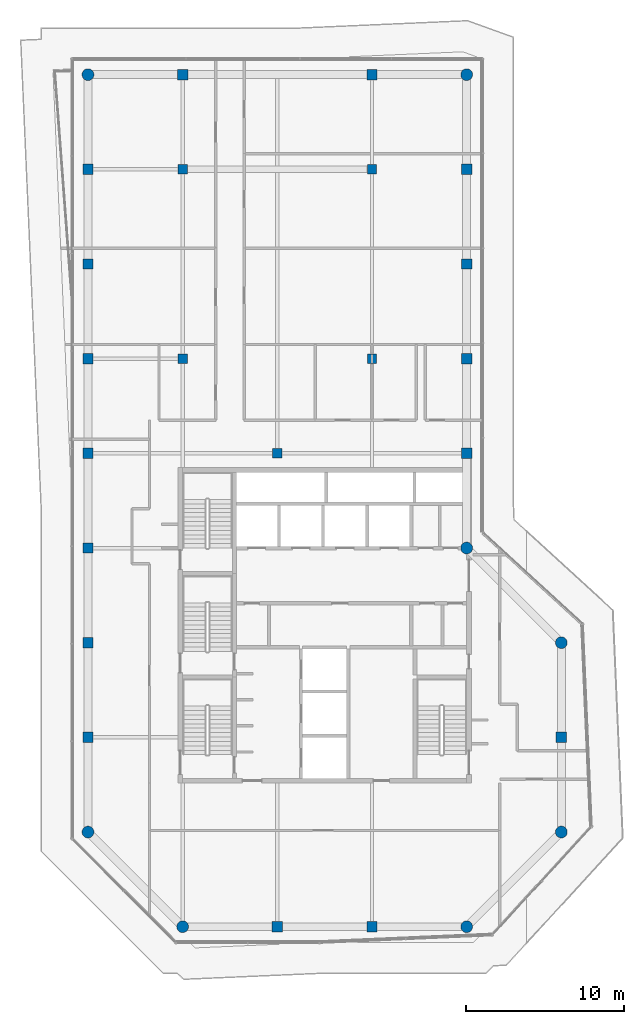
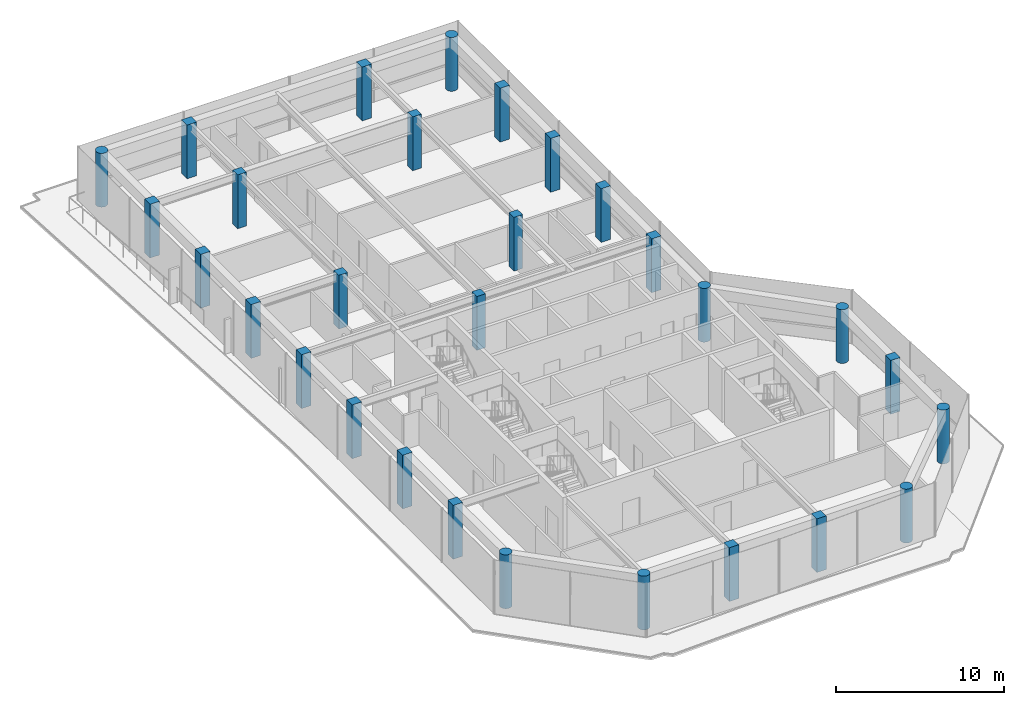
# One storey, part 1 of 19: 29 columns.
"""IFC4 building model written with IfcOpenShell, lengths in metres."""

from ifc_helpers import new_model, si_unit, direction, frame, origin, origin_2d, place, context, subcontext, project, spatial, rectangle, circle, extrude, material, material_profile, profile_set, type_object, element, save


model = new_model("IFC4")

# Units and contexts
model_context = context("Model", 3, precision=1e-05, world=origin(), true_north=direction((0.0, 1.0)))
body_context = subcontext(model_context, "Body", "Model", "MODEL_VIEW")
ifc_project = project(units=[si_unit("LENGTHUNIT", "METRE"), si_unit("AREAUNIT", "SQUARE_METRE"), si_unit("VOLUMEUNIT", "CUBIC_METRE"), si_unit("PLANEANGLEUNIT", "RADIAN"), si_unit("MASSUNIT", "GRAM", prefix="KILO")], contexts=[model_context])

# Site, building, storey
site_placement = place(None, origin())
site = spatial("IfcSite", under=ifc_project, at=site_placement, CompositionType="ELEMENT")
building_placement = place(site_placement, origin())
building = spatial("IfcBuilding", under=site, at=building_placement, Name="Welwitschia Terrace Campus", CompositionType="ELEMENT")
storey_placement = place(building_placement, frame((0.0, 0.0, 323.0)))
storey = spatial("IfcBuildingStorey", under=building, at=storey_placement, Name="L72", CompositionType="ELEMENT", Elevation=323.0)

# Columns
ifc_material_1 = material(Name="Concrete C40/50", Category="concrete")
ifc_material_profile_1 = material_profile(ifc_material_1, circle(Radius=0.375, at=origin_2d()))
ifc_profile_set_1 = profile_set([ifc_material_profile_1], Name="Concrete C40/50")
column_type_1 = type_object("IfcColumnType", Name="Corner column 750 dia", PredefinedType="COLUMN", material=ifc_profile_set_1)
for number, where, z_axis, x_axis, name in (
    (1, (0.0, 2.0, 0.0), (0.0, 0.0, 1.0), (1.0, 0.0, 0.0), "Column C44"),
    (2, (0.0, 50.0, 0.0), (0.0, 0.0, 1.0), (1.0, 0.0, 0.0), "Column C44"),
    (3, (6.0, -4.0, 0.0), (0.0, 0.0, 1.0), (1.0, 0.0, 0.0), "Column C44"),
    (4, (24.0, -4.0, 0.0), (0.0, 0.0, 1.0), (1.0, 0.0, 0.0), "Column C44"),
    (5, (24.0, 20.0, 0.0), (0.0, 0.0, 1.0), (1.0, 0.0, 0.0), "Column C44"),
    (6, (24.0, 50.0, 0.0), (0.0, 0.0, 1.0), (1.0, 0.0, 0.0), "Column C44"),
    (7, (30.0, 2.0, 0.0), (0.0, 0.0, 1.0), (1.0, 0.0, 0.0), "Column C44"),
    (8, (30.0, 14.0, 0.0), (0.0, 0.0, 1.0), (1.0, 0.0, 0.0), "Column C44"),
):
    element("IfcColumn", number, at=place(storey_placement, frame(where, z_axis=z_axis, x_axis=x_axis)), inside=storey, type_object=column_type_1, Name=name, PredefinedType="COLUMN", context=body_context, shape_type="SweptSolid", body=[
        extrude(circle(Radius=0.375, at=origin_2d()), origin(), (0.0, 0.0, 1.0), 3.89990234375),
    ])
ifc_material_2 = material(Name="Concrete C40/50", Category="concrete")
ifc_material_profile_2 = material_profile(ifc_material_2, rectangle(XDim=0.60009765625, YDim=0.60009765625, at=origin_2d()))
ifc_profile_set_2 = profile_set([ifc_material_profile_2], Name="Concrete C40/50")
column_type_2 = type_object("IfcColumnType", Name="Interior column 600x600", PredefinedType="COLUMN", material=ifc_profile_set_2)
for number, where, z_axis, x_axis, name in (
    (9, (6.0, 32.0, 0.0), (0.0, 0.0, 1.0), (1.0, 0.0, 0.0), "Column C46"),
    (10, (6.0, 44.0, 0.0), (0.0, 0.0, 1.0), (1.0, 0.0, 0.0), "Column C46"),
    (11, (12.0, 26.0, 0.0), (0.0, 0.0, 1.0), (1.0, 0.0, 0.0), "Column C46"),
    (12, (18.0, 32.0, 0.0), (0.0, 0.0, 1.0), (1.0, 0.0, 0.0), "Column C46"),
    (13, (18.0, 44.0, 0.0), (0.0, 0.0, 1.0), (1.0, 0.0, 0.0), "Column C46"),
):
    element("IfcColumn", number, at=place(storey_placement, frame(where, z_axis=z_axis, x_axis=x_axis)), inside=storey, type_object=column_type_2, Name=name, PredefinedType="COLUMN", context=body_context, shape_type="SweptSolid", body=[
        extrude(rectangle(XDim=0.60009765625, YDim=0.60009765625, at=origin_2d()), origin(), (0.0, 0.0, 1.0), 3.89990234375),
    ])
ifc_material_3 = material(Name="Concrete C40/50", Category="concrete")
ifc_material_profile_3 = material_profile(ifc_material_3, rectangle(XDim=0.64990234375, YDim=0.64990234375, at=origin_2d()))
ifc_profile_set_3 = profile_set([ifc_material_profile_3], Name="Concrete C40/50")
column_type_3 = type_object("IfcColumnType", Name="Ring column 650x650", PredefinedType="COLUMN", material=ifc_profile_set_3)
for number, where, z_axis, x_axis, name in (
    (14, (0.0, 8.0, 0.0), (0.0, 0.0, 1.0), (1.0, 0.0, 0.0), "Column C45"),
    (15, (0.0, 14.0, 0.0), (0.0, 0.0, 1.0), (1.0, 0.0, 0.0), "Column C45"),
    (16, (0.0, 20.0, 0.0), (0.0, 0.0, 1.0), (1.0, 0.0, 0.0), "Column C45"),
    (17, (0.0, 26.0, 0.0), (0.0, 0.0, 1.0), (1.0, 0.0, 0.0), "Column C45"),
    (18, (0.0, 32.0, 0.0), (0.0, 0.0, 1.0), (1.0, 0.0, 0.0), "Column C45"),
    (19, (0.0, 38.0, 0.0), (0.0, 0.0, 1.0), (1.0, 0.0, 0.0), "Column C45"),
    (20, (0.0, 44.0, 0.0), (0.0, 0.0, 1.0), (1.0, 0.0, 0.0), "Column C45"),
    (21, (6.0, 50.0, 0.0), (0.0, 0.0, 1.0), (1.0, 0.0, 0.0), "Column C45"),
    (22, (12.0, -4.0, 0.0), (0.0, 0.0, 1.0), (1.0, 0.0, 0.0), "Column C45"),
    (23, (18.0, -4.0, 0.0), (0.0, 0.0, 1.0), (1.0, 0.0, 0.0), "Column C45"),
    (24, (18.0, 50.0, 0.0), (0.0, 0.0, 1.0), (1.0, 0.0, 0.0), "Column C45"),
    (25, (24.0, 26.0, 0.0), (0.0, 0.0, 1.0), (1.0, 0.0, 0.0), "Column C45"),
    (26, (24.0, 32.0, 0.0), (0.0, 0.0, 1.0), (1.0, 0.0, 0.0), "Column C45"),
    (27, (24.0, 38.0, 0.0), (0.0, 0.0, 1.0), (1.0, 0.0, 0.0), "Column C45"),
    (28, (24.0, 44.0, 0.0), (0.0, 0.0, 1.0), (1.0, 0.0, 0.0), "Column C45"),
    (29, (30.0, 8.0, 0.0), (0.0, 0.0, 1.0), (1.0, 0.0, 0.0), "Column C45"),
):
    element("IfcColumn", number, at=place(storey_placement, frame(where, z_axis=z_axis, x_axis=x_axis)), inside=storey, type_object=column_type_3, Name=name, PredefinedType="COLUMN", context=body_context, shape_type="SweptSolid", body=[
        extrude(rectangle(XDim=0.64990234375, YDim=0.64990234375, at=origin_2d()), origin(), (0.0, 0.0, 1.0), 3.89990234375),
    ])

save(model, "model.ifc")
